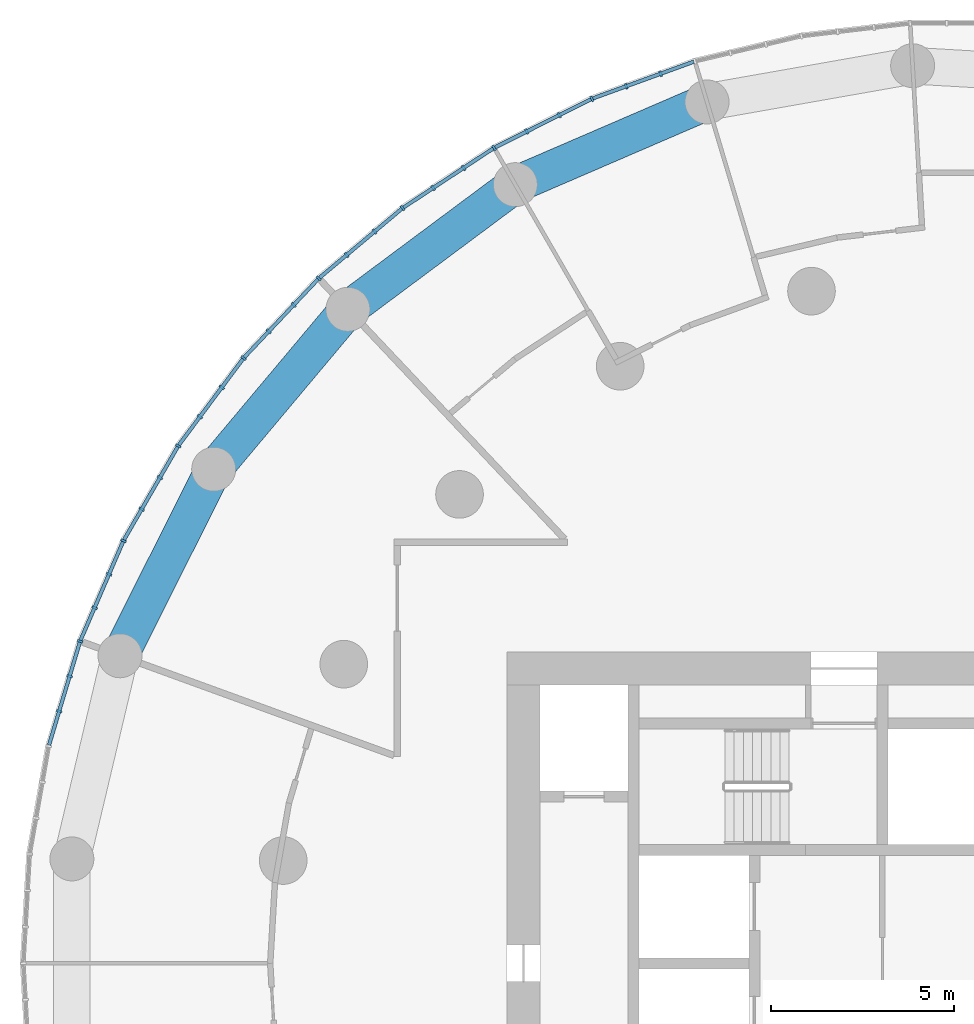
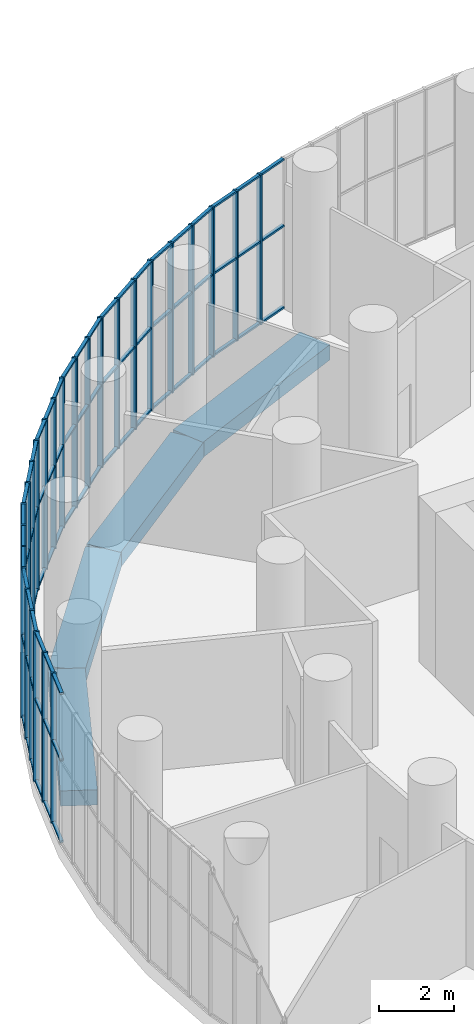
# One storey, part 7 of 21: 53 members, 4 beams, 9 elements without a shape of their own.
"""IFC4 building model written with IfcOpenShell, lengths in metres."""

from ifc_helpers import new_model, si_unit, direction, frame, origin, origin_2d, place, context, subcontext, project, spatial, rectangle, extrude, material, layer, layer_set, material_profile, profile_set, type_object, element, aggregate, save


model = new_model("IFC4")

# Units and contexts
model_context = context("Model", 3, precision=1e-05, world=origin(), true_north=direction((0.0, 1.0)))
body_context = subcontext(model_context, "Body", "Model", "MODEL_VIEW")
ifc_project = project(units=[si_unit("LENGTHUNIT", "METRE"), si_unit("AREAUNIT", "SQUARE_METRE"), si_unit("VOLUMEUNIT", "CUBIC_METRE"), si_unit("PLANEANGLEUNIT", "RADIAN"), si_unit("MASSUNIT", "GRAM", prefix="KILO")], contexts=[model_context])

# Site, building, storey
site_placement = place(None, origin())
site = spatial("IfcSite", under=ifc_project, at=site_placement, CompositionType="ELEMENT")
building_placement = place(site_placement, origin())
building = spatial("IfcBuilding", under=site, at=building_placement, Name="Tracery Tower", CompositionType="ELEMENT")
storey_placement = place(building_placement, frame((0.0, 0.0, 219.60009765625)))
storey = spatial("IfcBuildingStorey", under=building, at=storey_placement, Name="L57", CompositionType="ELEMENT", Elevation=219.60009765625)

# Beams
ifc_material_1 = material(Name="Concrete C50/60", Category="concrete")
ifc_material_profile_1 = material_profile(ifc_material_1, rectangle(XDim=1.0, YDim=0.5, at=origin_2d()), Name="RC 1000x500")
ifc_profile_set_1 = profile_set([ifc_material_profile_1], Name="Concrete C50/60")
beam_type = type_object("IfcBeamType", Name="Perimeter band beam 1000x500 under 450 slab", PredefinedType="BEAM", material=ifc_profile_set_1)
beam_1_placement = place(storey_placement, frame((-7.040283203125, 23.516357421875, -0.7001953125), z_axis=(-0.918209685525, -0.396094652083, 0.0), x_axis=(0.396094652083, -0.918209685525, 0.0)))
element("IfcBeam", 1, at=beam_1_placement, inside=storey, type_object=beam_type, Name="Perimeter beam 1.08 under L57", PredefinedType="BEAM", context=body_context, shape_type="SweptSolid", body=[
    extrude(rectangle(XDim=1.0, YDim=0.5, at=origin_2d()), origin(), (0.0, 0.0, 1.0), 5.699462890625),
])
beam_2_placement = place(storey_placement, frame((-12.273681640625, 21.2587890625, -0.7001953125), z_axis=(-0.802138271299, -0.59713833717, 0.0), x_axis=(0.59713833717, -0.802138271299, 0.0)))
element("IfcBeam", 2, at=beam_2_placement, inside=storey, type_object=beam_type, Name="Perimeter beam 1.09 under L57", PredefinedType="BEAM", context=body_context, shape_type="SweptSolid", body=[
    extrude(rectangle(XDim=1.0, YDim=0.5, at=origin_2d()), origin(), (0.0, 0.0, 1.0), 5.69970703125),
])
beam_3_placement = place(storey_placement, frame((-16.845703125, 17.855224609375, -0.7001953125), z_axis=(-0.642797194343, -0.766036400535, 0.0), x_axis=(0.766036400535, -0.642797194343, 0.0)))
element("IfcBeam", 3, at=beam_3_placement, inside=storey, type_object=beam_type, Name="Perimeter beam 1.10 under L57", PredefinedType="BEAM", context=body_context, shape_type="SweptSolid", body=[
    extrude(rectangle(XDim=1.0, YDim=0.5, at=origin_2d()), origin(), (0.0, 0.0, 1.0), 5.699462890625),
])
beam_4_placement = place(storey_placement, frame((-20.50927734375, 13.4892578125, -0.7001953125), z_axis=(-0.448806280933, -0.893629074166, 0.0), x_axis=(0.893629074166, -0.448806280933, 0.0)))
element("IfcBeam", 4, at=beam_4_placement, inside=storey, type_object=beam_type, Name="Perimeter beam 1.11 under L57", PredefinedType="BEAM", context=body_context, shape_type="SweptSolid", body=[
    extrude(rectangle(XDim=1.0, YDim=0.5, at=origin_2d()), origin(), (0.0, 0.0, 1.0), 5.69970703125),
])

# Curtain wall, members
ifc_material_2 = material(Name="Aluminium curtain wall with tinted glass", Category="aluminium")
ifc_layer = layer(ifc_material_2, 0.159912109375)
ifc_layer_set = layer_set([ifc_layer], Name="Sky lounge 2 tracery curtain wall")
curtain_wall_type = type_object("IfcCurtainWallType", Name="Sky lounge 2 tracery curtain wall", PredefinedType="NOTDEFINED", material=ifc_layer_set)
curtain_wall_1_placement = place(storey_placement, origin())
curtain_wall_1 = element("IfcCurtainWall", 5, at=curtain_wall_1_placement, inside=storey, type_object=curtain_wall_type, Name="Sky lounge 2 curtain wall run 17", PredefinedType="NOTDEFINED")
ifc_material_3 = material(Name="Aluminium, bronze anodised", Category="aluminium")
ifc_material_profile_2 = material_profile(ifc_material_3, rectangle(XDim=0.159912109375, YDim=0.06005859375, at=origin_2d()), Name="AL 60x160")
ifc_profile_set_2 = profile_set([ifc_material_profile_2], Name="Aluminium, bronze anodised")
member_type_1 = type_object("IfcMemberType", Name="Sky lounge 2 mullion 60 x 160", PredefinedType="MULLION", material=ifc_profile_set_2)
member_1_placement = place(storey_placement, frame((-8.309326171875, 24.28662109375, 0.0), z_axis=(0.0, 0.0, 1.0), x_axis=(0.342020143326, -0.939692620786, 0.0)))
member_1 = element("IfcMember", 6, at=member_1_placement, type_object=member_type_1, Name="Sky lounge 2 curtain wall run 17 mullion 2", PredefinedType="MULLION", context=body_context, shape_type="SweptSolid", body=[
    extrude(rectangle(XDim=0.159912109375, YDim=0.06005859375, at=origin_2d()), origin(), (0.0, 0.0, 1.0), 4.89990234375),
])
member_2_placement = place(storey_placement, frame((-9.245849609375, 23.94580078125, 0.0), z_axis=(0.0, 0.0, 1.0), x_axis=(0.342020143326, -0.939692620786, 0.0)))
member_2 = element("IfcMember", 7, at=member_2_placement, type_object=member_type_1, Name="Sky lounge 2 curtain wall run 17 mullion 3", PredefinedType="MULLION", context=body_context, shape_type="SweptSolid", body=[
    extrude(rectangle(XDim=0.159912109375, YDim=0.06005859375, at=origin_2d()), origin(), (0.0, 0.0, 1.0), 4.89990234375),
])

curtain_wall_2_placement = place(storey_placement, origin())
curtain_wall_2 = element("IfcCurtainWall", 8, at=curtain_wall_2_placement, inside=storey, type_object=curtain_wall_type, Name="Sky lounge 2 curtain wall run 18", PredefinedType="NOTDEFINED")
member_3_placement = place(storey_placement, frame((-10.18212890625, 23.60498046875, 0.0), z_axis=(0.0, 0.0, 1.0), x_axis=(0.448799180206, -0.893632640321, 0.0)))
member_3 = element("IfcMember", 9, at=member_3_placement, type_object=member_type_1, Name="Sky lounge 2 curtain wall run 18 mullion 1", PredefinedType="MULLION", context=body_context, shape_type="SweptSolid", body=[
    extrude(rectangle(XDim=0.159912109375, YDim=0.06005859375, at=origin_2d()), origin(), (0.0, 0.0, 1.0), 4.89990234375),
])
member_4_placement = place(storey_placement, frame((-11.07275390625, 23.157958984375, 0.0), z_axis=(0.0, 0.0, 1.0), x_axis=(0.448799180206, -0.893632640321, 0.0)))
member_4 = element("IfcMember", 10, at=member_4_placement, type_object=member_type_1, Name="Sky lounge 2 curtain wall run 18 mullion 2", PredefinedType="MULLION", context=body_context, shape_type="SweptSolid", body=[
    extrude(rectangle(XDim=0.159912109375, YDim=0.06005859375, at=origin_2d()), origin(), (0.0, 0.0, 1.0), 4.89990234375),
])
member_5_placement = place(storey_placement, frame((-11.96337890625, 22.710693359375, 0.0), z_axis=(0.0, 0.0, 1.0), x_axis=(0.448799180206, -0.893632640321, 0.0)))
member_5 = element("IfcMember", 11, at=member_5_placement, type_object=member_type_1, Name="Sky lounge 2 curtain wall run 18 mullion 3", PredefinedType="MULLION", context=body_context, shape_type="SweptSolid", body=[
    extrude(rectangle(XDim=0.159912109375, YDim=0.06005859375, at=origin_2d()), origin(), (0.0, 0.0, 1.0), 4.89990234375),
])

curtain_wall_3_placement = place(storey_placement, origin())
curtain_wall_3 = element("IfcCurtainWall", 12, at=curtain_wall_3_placement, inside=storey, type_object=curtain_wall_type, Name="Sky lounge 2 curtain wall run 19", PredefinedType="NOTDEFINED")
member_6_placement = place(storey_placement, frame((-12.853759765625, 22.263427734375, 0.0), z_axis=(0.0, 0.0, 1.0), x_axis=(0.549508978066, -0.835487811416, 0.0)))
member_6 = element("IfcMember", 13, at=member_6_placement, type_object=member_type_1, Name="Sky lounge 2 curtain wall run 19 mullion 1", PredefinedType="MULLION", context=body_context, shape_type="SweptSolid", body=[
    extrude(rectangle(XDim=0.159912109375, YDim=0.06005859375, at=origin_2d()), origin(), (0.0, 0.0, 1.0), 4.89990234375),
])
member_7_placement = place(storey_placement, frame((-13.686279296875, 21.7158203125, 0.0), z_axis=(0.0, 0.0, 1.0), x_axis=(0.549508978066, -0.835487811416, 0.0)))
member_7 = element("IfcMember", 14, at=member_7_placement, type_object=member_type_1, Name="Sky lounge 2 curtain wall run 19 mullion 2", PredefinedType="MULLION", context=body_context, shape_type="SweptSolid", body=[
    extrude(rectangle(XDim=0.159912109375, YDim=0.06005859375, at=origin_2d()), origin(), (0.0, 0.0, 1.0), 4.89990234375),
])
member_8_placement = place(storey_placement, frame((-14.518798828125, 21.168212890625, 0.0), z_axis=(0.0, 0.0, 1.0), x_axis=(0.549508978066, -0.835487811416, 0.0)))
member_8 = element("IfcMember", 15, at=member_8_placement, type_object=member_type_1, Name="Sky lounge 2 curtain wall run 19 mullion 3", PredefinedType="MULLION", context=body_context, shape_type="SweptSolid", body=[
    extrude(rectangle(XDim=0.159912109375, YDim=0.06005859375, at=origin_2d()), origin(), (0.0, 0.0, 1.0), 4.89990234375),
])

curtain_wall_4_placement = place(storey_placement, origin())
curtain_wall_4 = element("IfcCurtainWall", 16, at=curtain_wall_4_placement, inside=storey, type_object=curtain_wall_type, Name="Sky lounge 2 curtain wall run 20", PredefinedType="NOTDEFINED")
member_9_placement = place(storey_placement, frame((-15.3515625, 20.62060546875, 0.0), z_axis=(0.0, 0.0, 1.0), x_axis=(0.642787609687, -0.766044443119, 0.0)))
member_9 = element("IfcMember", 17, at=member_9_placement, type_object=member_type_1, Name="Sky lounge 2 curtain wall run 20 mullion 1", PredefinedType="MULLION", context=body_context, shape_type="SweptSolid", body=[
    extrude(rectangle(XDim=0.159912109375, YDim=0.06005859375, at=origin_2d()), origin(), (0.0, 0.0, 1.0), 4.89990234375),
])
member_10_placement = place(storey_placement, frame((-16.11474609375, 19.97998046875, 0.0), z_axis=(0.0, 0.0, 1.0), x_axis=(0.642787609687, -0.766044443119, 0.0)))
member_10 = element("IfcMember", 18, at=member_10_placement, type_object=member_type_1, Name="Sky lounge 2 curtain wall run 20 mullion 2", PredefinedType="MULLION", context=body_context, shape_type="SweptSolid", body=[
    extrude(rectangle(XDim=0.159912109375, YDim=0.06005859375, at=origin_2d()), origin(), (0.0, 0.0, 1.0), 4.89990234375),
])
member_11_placement = place(storey_placement, frame((-16.878173828125, 19.339599609375, 0.0), z_axis=(0.0, 0.0, 1.0), x_axis=(0.642787609687, -0.766044443119, 0.0)))
member_11 = element("IfcMember", 19, at=member_11_placement, type_object=member_type_1, Name="Sky lounge 2 curtain wall run 20 mullion 3", PredefinedType="MULLION", context=body_context, shape_type="SweptSolid", body=[
    extrude(rectangle(XDim=0.159912109375, YDim=0.06005859375, at=origin_2d()), origin(), (0.0, 0.0, 1.0), 4.89990234375),
])

curtain_wall_5_placement = place(storey_placement, origin())
curtain_wall_5 = element("IfcCurtainWall", 20, at=curtain_wall_5_placement, inside=storey, type_object=curtain_wall_type, Name="Sky lounge 2 curtain wall run 21", PredefinedType="NOTDEFINED")
member_12_placement = place(storey_placement, frame((-17.6416015625, 18.698974609375, 0.0), z_axis=(0.0, 0.0, 1.0), x_axis=(0.727373641577, -0.686241637865, 0.0)))
member_12 = element("IfcMember", 21, at=member_12_placement, type_object=member_type_1, Name="Sky lounge 2 curtain wall run 21 mullion 1", PredefinedType="MULLION", context=body_context, shape_type="SweptSolid", body=[
    extrude(rectangle(XDim=0.159912109375, YDim=0.06005859375, at=origin_2d()), origin(), (0.0, 0.0, 1.0), 4.89990234375),
])
member_13_placement = place(storey_placement, frame((-18.325439453125, 17.97412109375, 0.0), z_axis=(0.0, 0.0, 1.0), x_axis=(0.727373641577, -0.686241637865, 0.0)))
member_13 = element("IfcMember", 22, at=member_13_placement, type_object=member_type_1, Name="Sky lounge 2 curtain wall run 21 mullion 2", PredefinedType="MULLION", context=body_context, shape_type="SweptSolid", body=[
    extrude(rectangle(XDim=0.159912109375, YDim=0.06005859375, at=origin_2d()), origin(), (0.0, 0.0, 1.0), 4.89990234375),
])
member_14_placement = place(storey_placement, frame((-19.00927734375, 17.249267578125, 0.0), z_axis=(0.0, 0.0, 1.0), x_axis=(0.727373641577, -0.686241637865, 0.0)))
member_14 = element("IfcMember", 23, at=member_14_placement, type_object=member_type_1, Name="Sky lounge 2 curtain wall run 21 mullion 3", PredefinedType="MULLION", context=body_context, shape_type="SweptSolid", body=[
    extrude(rectangle(XDim=0.159912109375, YDim=0.06005859375, at=origin_2d()), origin(), (0.0, 0.0, 1.0), 4.89990234375),
])

curtain_wall_6_placement = place(storey_placement, origin())
curtain_wall_6 = element("IfcCurtainWall", 24, at=curtain_wall_6_placement, inside=storey, type_object=curtain_wall_type, Name="Sky lounge 2 curtain wall run 22", PredefinedType="NOTDEFINED")
member_15_placement = place(storey_placement, frame((-19.693115234375, 16.5244140625, 0.0), z_axis=(0.0, 0.0, 1.0), x_axis=(0.802123192752, -0.597158591707, 0.0)))
member_15 = element("IfcMember", 25, at=member_15_placement, type_object=member_type_1, Name="Sky lounge 2 curtain wall run 22 mullion 1", PredefinedType="MULLION", context=body_context, shape_type="SweptSolid", body=[
    extrude(rectangle(XDim=0.159912109375, YDim=0.06005859375, at=origin_2d()), origin(), (0.0, 0.0, 1.0), 4.89990234375),
])
member_16_placement = place(storey_placement, frame((-20.2880859375, 15.72509765625, 0.0), z_axis=(0.0, 0.0, 1.0), x_axis=(0.802123192752, -0.597158591707, 0.0)))
member_16 = element("IfcMember", 26, at=member_16_placement, type_object=member_type_1, Name="Sky lounge 2 curtain wall run 22 mullion 2", PredefinedType="MULLION", context=body_context, shape_type="SweptSolid", body=[
    extrude(rectangle(XDim=0.159912109375, YDim=0.06005859375, at=origin_2d()), origin(), (0.0, 0.0, 1.0), 4.89990234375),
])
member_17_placement = place(storey_placement, frame((-20.88330078125, 14.92578125, 0.0), z_axis=(0.0, 0.0, 1.0), x_axis=(0.802123192752, -0.597158591707, 0.0)))
member_17 = element("IfcMember", 27, at=member_17_placement, type_object=member_type_1, Name="Sky lounge 2 curtain wall run 22 mullion 3", PredefinedType="MULLION", context=body_context, shape_type="SweptSolid", body=[
    extrude(rectangle(XDim=0.159912109375, YDim=0.06005859375, at=origin_2d()), origin(), (0.0, 0.0, 1.0), 4.89990234375),
])

curtain_wall_7_placement = place(storey_placement, origin())
curtain_wall_7 = element("IfcCurtainWall", 28, at=curtain_wall_7_placement, inside=storey, type_object=curtain_wall_type, Name="Sky lounge 2 curtain wall run 23", PredefinedType="NOTDEFINED")
member_18_placement = place(storey_placement, frame((-21.478271484375, 14.12646484375, 0.0), z_axis=(0.0, 0.0, 1.0), x_axis=(0.866025403784, -0.5, 0.0)))
member_18 = element("IfcMember", 29, at=member_18_placement, type_object=member_type_1, Name="Sky lounge 2 curtain wall run 23 mullion 1", PredefinedType="MULLION", context=body_context, shape_type="SweptSolid", body=[
    extrude(rectangle(XDim=0.159912109375, YDim=0.06005859375, at=origin_2d()), origin(), (0.0, 0.0, 1.0), 4.89990234375),
])
member_19_placement = place(storey_placement, frame((-21.9765625, 13.263427734375, 0.0), z_axis=(0.0, 0.0, 1.0), x_axis=(0.866025403784, -0.5, 0.0)))
member_19 = element("IfcMember", 30, at=member_19_placement, type_object=member_type_1, Name="Sky lounge 2 curtain wall run 23 mullion 2", PredefinedType="MULLION", context=body_context, shape_type="SweptSolid", body=[
    extrude(rectangle(XDim=0.159912109375, YDim=0.06005859375, at=origin_2d()), origin(), (0.0, 0.0, 1.0), 4.89990234375),
])
member_20_placement = place(storey_placement, frame((-22.474853515625, 12.400634765625, 0.0), z_axis=(0.0, 0.0, 1.0), x_axis=(0.866025403784, -0.5, 0.0)))
member_20 = element("IfcMember", 31, at=member_20_placement, type_object=member_type_1, Name="Sky lounge 2 curtain wall run 23 mullion 3", PredefinedType="MULLION", context=body_context, shape_type="SweptSolid", body=[
    extrude(rectangle(XDim=0.159912109375, YDim=0.06005859375, at=origin_2d()), origin(), (0.0, 0.0, 1.0), 4.89990234375),
])

curtain_wall_8_placement = place(storey_placement, origin())
curtain_wall_8 = element("IfcCurtainWall", 32, at=curtain_wall_8_placement, inside=storey, type_object=curtain_wall_type, Name="Sky lounge 2 curtain wall run 24", PredefinedType="NOTDEFINED")
member_21_placement = place(storey_placement, frame((-22.97314453125, 11.53759765625, 0.0), z_axis=(0.0, 0.0, 1.0), x_axis=(0.918216106883, -0.396079766034, 0.0)))
member_21 = element("IfcMember", 33, at=member_21_placement, type_object=member_type_1, Name="Sky lounge 2 curtain wall run 24 mullion 1", PredefinedType="MULLION", context=body_context, shape_type="SweptSolid", body=[
    extrude(rectangle(XDim=0.159912109375, YDim=0.06005859375, at=origin_2d()), origin(), (0.0, 0.0, 1.0), 4.89990234375),
])
member_22_placement = place(storey_placement, frame((-23.367919921875, 10.62255859375, 0.0), z_axis=(0.0, 0.0, 1.0), x_axis=(0.918216106883, -0.396079766034, 0.0)))
member_22 = element("IfcMember", 34, at=member_22_placement, type_object=member_type_1, Name="Sky lounge 2 curtain wall run 24 mullion 2", PredefinedType="MULLION", context=body_context, shape_type="SweptSolid", body=[
    extrude(rectangle(XDim=0.159912109375, YDim=0.06005859375, at=origin_2d()), origin(), (0.0, 0.0, 1.0), 4.89990234375),
])
member_23_placement = place(storey_placement, frame((-23.762451171875, 9.70751953125, 0.0), z_axis=(0.0, 0.0, 1.0), x_axis=(0.918216106883, -0.396079766034, 0.0)))
member_23 = element("IfcMember", 35, at=member_23_placement, type_object=member_type_1, Name="Sky lounge 2 curtain wall run 24 mullion 3", PredefinedType="MULLION", context=body_context, shape_type="SweptSolid", body=[
    extrude(rectangle(XDim=0.159912109375, YDim=0.06005859375, at=origin_2d()), origin(), (0.0, 0.0, 1.0), 4.89990234375),
])

curtain_wall_9_placement = place(storey_placement, origin())
curtain_wall_9 = element("IfcCurtainWall", 36, at=curtain_wall_9_placement, inside=storey, type_object=curtain_wall_type, Name="Sky lounge 2 curtain wall run 25", PredefinedType="NOTDEFINED")
member_24_placement = place(storey_placement, frame((-24.1572265625, 8.79248046875, 0.0), z_axis=(0.0, 0.0, 1.0), x_axis=(0.957989512314, -0.286803232717, 0.0)))
member_24 = element("IfcMember", 37, at=member_24_placement, type_object=member_type_1, Name="Sky lounge 2 curtain wall run 25 mullion 1", PredefinedType="MULLION", context=body_context, shape_type="SweptSolid", body=[
    extrude(rectangle(XDim=0.159912109375, YDim=0.06005859375, at=origin_2d()), origin(), (0.0, 0.0, 1.0), 4.89990234375),
])
member_25_placement = place(storey_placement, frame((-24.443115234375, 7.837890625, 0.0), z_axis=(0.0, 0.0, 1.0), x_axis=(0.957989512314, -0.286803232717, 0.0)))
member_25 = element("IfcMember", 38, at=member_25_placement, type_object=member_type_1, Name="Sky lounge 2 curtain wall run 25 mullion 2", PredefinedType="MULLION", context=body_context, shape_type="SweptSolid", body=[
    extrude(rectangle(XDim=0.159912109375, YDim=0.06005859375, at=origin_2d()), origin(), (0.0, 0.0, 1.0), 4.89990234375),
])
member_26_placement = place(storey_placement, frame((-24.728759765625, 6.88330078125, 0.0), z_axis=(0.0, 0.0, 1.0), x_axis=(0.957989512314, -0.286803232717, 0.0)))
member_26 = element("IfcMember", 39, at=member_26_placement, type_object=member_type_1, Name="Sky lounge 2 curtain wall run 25 mullion 3", PredefinedType="MULLION", context=body_context, shape_type="SweptSolid", body=[
    extrude(rectangle(XDim=0.159912109375, YDim=0.06005859375, at=origin_2d()), origin(), (0.0, 0.0, 1.0), 4.89990234375),
])

# Member
ifc_material_4 = material(Name="Aluminium, bronze anodised", Category="aluminium")
ifc_material_profile_3 = material_profile(ifc_material_4, rectangle(XDim=0.10009765625, YDim=0.06005859375, at=origin_2d()), Name="AL 60x100")
ifc_profile_set_3 = profile_set([ifc_material_profile_3], Name="Aluminium, bronze anodised")
member_type_2 = type_object("IfcMemberType", Name="Sky lounge 2 transom 60 x 100", PredefinedType="USERDEFINED", material=ifc_profile_set_3)
member_27_placement = place(storey_placement, frame((-7.401123046875, 24.6171875, 0.02978515625), z_axis=(-0.939696058731, -0.342010697502, 0.0), x_axis=(0.342010697502, -0.939696058731, 0.0)))
member_27 = element("IfcMember", 40, at=member_27_placement, type_object=member_type_2, Name="Sky lounge 2 curtain wall run 17 transom 1", ObjectType="TRANSOM", PredefinedType="USERDEFINED", context=body_context, shape_type="SweptSolid", body=[
    extrude(rectangle(XDim=0.10009765625, YDim=0.06005859375, at=origin_2d()), origin(), (0.0, 0.0, 1.0), 2.9296875),
])

member_28_placement = place(storey_placement, frame((-7.401123046875, 24.6171875, 2.699951171875), z_axis=(-0.939696058731, -0.342010697502, 0.0), x_axis=(0.342010697502, -0.939696058731, 0.0)))
member_28 = element("IfcMember", 41, at=member_28_placement, type_object=member_type_2, Name="Sky lounge 2 curtain wall run 17 transom 2", ObjectType="TRANSOM", PredefinedType="USERDEFINED", context=body_context, shape_type="SweptSolid", body=[
    extrude(rectangle(XDim=0.10009765625, YDim=0.06005859375, at=origin_2d()), origin(), (0.0, 0.0, 1.0), 2.9296875),
])

member_29_placement = place(storey_placement, frame((-7.401123046875, 24.6171875, 4.869873046875), z_axis=(-0.939696058731, -0.342010697502, 0.0), x_axis=(0.342010697502, -0.939696058731, 0.0)))
member_29 = element("IfcMember", 42, at=member_29_placement, type_object=member_type_2, Name="Sky lounge 2 curtain wall run 17 transom 3", ObjectType="TRANSOM", PredefinedType="USERDEFINED", context=body_context, shape_type="SweptSolid", body=[
    extrude(rectangle(XDim=0.10009765625, YDim=0.06005859375, at=origin_2d()), origin(), (0.0, 0.0, 1.0), 2.9296875),
])

aggregate(curtain_wall_1, [member_1, member_2, member_27, member_28, member_29])

member_30_placement = place(storey_placement, frame((-10.208984375, 23.591552734375, 0.02978515625), z_axis=(-0.893642433599, -0.448779679654, 0.0), x_axis=(0.448779679654, -0.893642433599, 0.0)))
member_30 = element("IfcMember", 43, at=member_30_placement, type_object=member_type_2, Name="Sky lounge 2 curtain wall run 18 transom 1", ObjectType="TRANSOM", PredefinedType="USERDEFINED", context=body_context, shape_type="SweptSolid", body=[
    extrude(rectangle(XDim=0.10009765625, YDim=0.06005859375, at=origin_2d()), origin(), (0.0, 0.0, 1.0), 2.929443359375),
])

member_31_placement = place(storey_placement, frame((-10.208984375, 23.591552734375, 2.699951171875), z_axis=(-0.893642433599, -0.448779679654, 0.0), x_axis=(0.448779679654, -0.893642433599, 0.0)))
member_31 = element("IfcMember", 44, at=member_31_placement, type_object=member_type_2, Name="Sky lounge 2 curtain wall run 18 transom 2", ObjectType="TRANSOM", PredefinedType="USERDEFINED", context=body_context, shape_type="SweptSolid", body=[
    extrude(rectangle(XDim=0.10009765625, YDim=0.06005859375, at=origin_2d()), origin(), (0.0, 0.0, 1.0), 2.929443359375),
])

member_32_placement = place(storey_placement, frame((-10.208984375, 23.591552734375, 4.869873046875), z_axis=(-0.893642433599, -0.448779679654, 0.0), x_axis=(0.448779679654, -0.893642433599, 0.0)))
member_32 = element("IfcMember", 45, at=member_32_placement, type_object=member_type_2, Name="Sky lounge 2 curtain wall run 18 transom 3", ObjectType="TRANSOM", PredefinedType="USERDEFINED", context=body_context, shape_type="SweptSolid", body=[
    extrude(rectangle(XDim=0.10009765625, YDim=0.06005859375, at=origin_2d()), origin(), (0.0, 0.0, 1.0), 2.929443359375),
])

aggregate(curtain_wall_2, [member_3, member_4, member_5, member_30, member_31, member_32])

member_33_placement = place(storey_placement, frame((-12.87890625, 22.246826171875, 0.02978515625), z_axis=(-0.835508711144, -0.549477200257, 0.0), x_axis=(0.549477200257, -0.835508711144, 0.0)))
member_33 = element("IfcMember", 46, at=member_33_placement, type_object=member_type_2, Name="Sky lounge 2 curtain wall run 19 transom 1", ObjectType="TRANSOM", PredefinedType="USERDEFINED", context=body_context, shape_type="SweptSolid", body=[
    extrude(rectangle(XDim=0.10009765625, YDim=0.06005859375, at=origin_2d()), origin(), (0.0, 0.0, 1.0), 2.929443359375),
])

member_34_placement = place(storey_placement, frame((-12.87890625, 22.246826171875, 2.699951171875), z_axis=(-0.835508711144, -0.549477200257, 0.0), x_axis=(0.549477200257, -0.835508711144, 0.0)))
member_34 = element("IfcMember", 47, at=member_34_placement, type_object=member_type_2, Name="Sky lounge 2 curtain wall run 19 transom 2", ObjectType="TRANSOM", PredefinedType="USERDEFINED", context=body_context, shape_type="SweptSolid", body=[
    extrude(rectangle(XDim=0.10009765625, YDim=0.06005859375, at=origin_2d()), origin(), (0.0, 0.0, 1.0), 2.929443359375),
])

member_35_placement = place(storey_placement, frame((-12.87890625, 22.246826171875, 4.869873046875), z_axis=(-0.835508711144, -0.549477200257, 0.0), x_axis=(0.549477200257, -0.835508711144, 0.0)))
member_35 = element("IfcMember", 48, at=member_35_placement, type_object=member_type_2, Name="Sky lounge 2 curtain wall run 19 transom 3", ObjectType="TRANSOM", PredefinedType="USERDEFINED", context=body_context, shape_type="SweptSolid", body=[
    extrude(rectangle(XDim=0.10009765625, YDim=0.06005859375, at=origin_2d()), origin(), (0.0, 0.0, 1.0), 2.929443359375),
])

aggregate(curtain_wall_3, [member_6, member_7, member_8, member_33, member_34, member_35])

member_36_placement = place(storey_placement, frame((-15.37451171875, 20.601318359375, 0.02978515625), z_axis=(-0.766044599457, -0.64278742337, 0.0), x_axis=(0.64278742337, -0.766044599457, 0.0)))
member_36 = element("IfcMember", 49, at=member_36_placement, type_object=member_type_2, Name="Sky lounge 2 curtain wall run 20 transom 1", ObjectType="TRANSOM", PredefinedType="USERDEFINED", context=body_context, shape_type="SweptSolid", body=[
    extrude(rectangle(XDim=0.10009765625, YDim=0.06005859375, at=origin_2d()), origin(), (0.0, 0.0, 1.0), 2.929443359375),
])

member_37_placement = place(storey_placement, frame((-15.37451171875, 20.601318359375, 2.699951171875), z_axis=(-0.766044599457, -0.64278742337, 0.0), x_axis=(0.64278742337, -0.766044599457, 0.0)))
member_37 = element("IfcMember", 50, at=member_37_placement, type_object=member_type_2, Name="Sky lounge 2 curtain wall run 20 transom 2", ObjectType="TRANSOM", PredefinedType="USERDEFINED", context=body_context, shape_type="SweptSolid", body=[
    extrude(rectangle(XDim=0.10009765625, YDim=0.06005859375, at=origin_2d()), origin(), (0.0, 0.0, 1.0), 2.929443359375),
])

member_38_placement = place(storey_placement, frame((-15.37451171875, 20.601318359375, 4.869873046875), z_axis=(-0.766044599457, -0.64278742337, 0.0), x_axis=(0.64278742337, -0.766044599457, 0.0)))
member_38 = element("IfcMember", 51, at=member_38_placement, type_object=member_type_2, Name="Sky lounge 2 curtain wall run 20 transom 3", ObjectType="TRANSOM", PredefinedType="USERDEFINED", context=body_context, shape_type="SweptSolid", body=[
    extrude(rectangle(XDim=0.10009765625, YDim=0.06005859375, at=origin_2d()), origin(), (0.0, 0.0, 1.0), 2.929443359375),
])

aggregate(curtain_wall_4, [member_9, member_10, member_11, member_36, member_37, member_38])

member_39_placement = place(storey_placement, frame((-17.662109375, 18.67724609375, 0.02978515625), z_axis=(-0.686266182252, -0.727350484359, 0.0), x_axis=(0.727350484359, -0.686266182252, 0.0)))
member_39 = element("IfcMember", 52, at=member_39_placement, type_object=member_type_2, Name="Sky lounge 2 curtain wall run 21 transom 1", ObjectType="TRANSOM", PredefinedType="USERDEFINED", context=body_context, shape_type="SweptSolid", body=[
    extrude(rectangle(XDim=0.10009765625, YDim=0.06005859375, at=origin_2d()), origin(), (0.0, 0.0, 1.0), 2.9296875),
])

member_40_placement = place(storey_placement, frame((-17.662109375, 18.67724609375, 2.699951171875), z_axis=(-0.686266182252, -0.727350484359, 0.0), x_axis=(0.727350484359, -0.686266182252, 0.0)))
member_40 = element("IfcMember", 53, at=member_40_placement, type_object=member_type_2, Name="Sky lounge 2 curtain wall run 21 transom 2", ObjectType="TRANSOM", PredefinedType="USERDEFINED", context=body_context, shape_type="SweptSolid", body=[
    extrude(rectangle(XDim=0.10009765625, YDim=0.06005859375, at=origin_2d()), origin(), (0.0, 0.0, 1.0), 2.9296875),
])

member_41_placement = place(storey_placement, frame((-17.662109375, 18.67724609375, 4.869873046875), z_axis=(-0.686266182252, -0.727350484359, 0.0), x_axis=(0.727350484359, -0.686266182252, 0.0)))
member_41 = element("IfcMember", 54, at=member_41_placement, type_object=member_type_2, Name="Sky lounge 2 curtain wall run 21 transom 3", ObjectType="TRANSOM", PredefinedType="USERDEFINED", context=body_context, shape_type="SweptSolid", body=[
    extrude(rectangle(XDim=0.10009765625, YDim=0.06005859375, at=origin_2d()), origin(), (0.0, 0.0, 1.0), 2.9296875),
])

aggregate(curtain_wall_5, [member_12, member_13, member_14, member_39, member_40, member_41])

member_42_placement = place(storey_placement, frame((-19.7109375, 16.50048828125, 0.02978515625), z_axis=(-0.597182879987, -0.802105110226, 0.0), x_axis=(0.802105110226, -0.597182879987, 0.0)))
member_42 = element("IfcMember", 55, at=member_42_placement, type_object=member_type_2, Name="Sky lounge 2 curtain wall run 22 transom 1", ObjectType="TRANSOM", PredefinedType="USERDEFINED", context=body_context, shape_type="SweptSolid", body=[
    extrude(rectangle(XDim=0.10009765625, YDim=0.06005859375, at=origin_2d()), origin(), (0.0, 0.0, 1.0), 2.9296875),
])

member_43_placement = place(storey_placement, frame((-19.7109375, 16.50048828125, 2.699951171875), z_axis=(-0.597182879987, -0.802105110226, 0.0), x_axis=(0.802105110226, -0.597182879987, 0.0)))
member_43 = element("IfcMember", 56, at=member_43_placement, type_object=member_type_2, Name="Sky lounge 2 curtain wall run 22 transom 2", ObjectType="TRANSOM", PredefinedType="USERDEFINED", context=body_context, shape_type="SweptSolid", body=[
    extrude(rectangle(XDim=0.10009765625, YDim=0.06005859375, at=origin_2d()), origin(), (0.0, 0.0, 1.0), 2.9296875),
])

member_44_placement = place(storey_placement, frame((-19.7109375, 16.50048828125, 4.869873046875), z_axis=(-0.597182879987, -0.802105110226, 0.0), x_axis=(0.802105110226, -0.597182879987, 0.0)))
member_44 = element("IfcMember", 57, at=member_44_placement, type_object=member_type_2, Name="Sky lounge 2 curtain wall run 22 transom 3", ObjectType="TRANSOM", PredefinedType="USERDEFINED", context=body_context, shape_type="SweptSolid", body=[
    extrude(rectangle(XDim=0.10009765625, YDim=0.06005859375, at=origin_2d()), origin(), (0.0, 0.0, 1.0), 2.9296875),
])

aggregate(curtain_wall_6, [member_15, member_16, member_17, member_42, member_43, member_44])

member_45_placement = place(storey_placement, frame((-21.493408203125, 14.1005859375, 0.02978515625), z_axis=(-0.499948495998, -0.866055137592, 0.0), x_axis=(0.866055137592, -0.499948495998, 0.0)))
member_45 = element("IfcMember", 58, at=member_45_placement, type_object=member_type_2, Name="Sky lounge 2 curtain wall run 23 transom 1", ObjectType="TRANSOM", PredefinedType="USERDEFINED", context=body_context, shape_type="SweptSolid", body=[
    extrude(rectangle(XDim=0.10009765625, YDim=0.06005859375, at=origin_2d()), origin(), (0.0, 0.0, 1.0), 2.929443359375),
])

member_46_placement = place(storey_placement, frame((-21.493408203125, 14.1005859375, 2.699951171875), z_axis=(-0.499948495998, -0.866055137592, 0.0), x_axis=(0.866055137592, -0.499948495998, 0.0)))
member_46 = element("IfcMember", 59, at=member_46_placement, type_object=member_type_2, Name="Sky lounge 2 curtain wall run 23 transom 2", ObjectType="TRANSOM", PredefinedType="USERDEFINED", context=body_context, shape_type="SweptSolid", body=[
    extrude(rectangle(XDim=0.10009765625, YDim=0.06005859375, at=origin_2d()), origin(), (0.0, 0.0, 1.0), 2.929443359375),
])

member_47_placement = place(storey_placement, frame((-21.493408203125, 14.1005859375, 4.869873046875), z_axis=(-0.499948495998, -0.866055137592, 0.0), x_axis=(0.866055137592, -0.499948495998, 0.0)))
member_47 = element("IfcMember", 60, at=member_47_placement, type_object=member_type_2, Name="Sky lounge 2 curtain wall run 23 transom 3", ObjectType="TRANSOM", PredefinedType="USERDEFINED", context=body_context, shape_type="SweptSolid", body=[
    extrude(rectangle(XDim=0.10009765625, YDim=0.06005859375, at=origin_2d()), origin(), (0.0, 0.0, 1.0), 2.929443359375),
])

aggregate(curtain_wall_7, [member_18, member_19, member_20, member_45, member_46, member_47])

member_48_placement = place(storey_placement, frame((-22.985107421875, 11.510009765625, 0.02978515625), z_axis=(-0.396030490021, -0.918237360912, 0.0), x_axis=(0.918237360912, -0.396030490021, 0.0)))
member_48 = element("IfcMember", 61, at=member_48_placement, type_object=member_type_2, Name="Sky lounge 2 curtain wall run 24 transom 1", ObjectType="TRANSOM", PredefinedType="USERDEFINED", context=body_context, shape_type="SweptSolid", body=[
    extrude(rectangle(XDim=0.10009765625, YDim=0.06005859375, at=origin_2d()), origin(), (0.0, 0.0, 1.0), 2.929443359375),
])

member_49_placement = place(storey_placement, frame((-22.985107421875, 11.510009765625, 2.699951171875), z_axis=(-0.396030490021, -0.918237360912, 0.0), x_axis=(0.918237360912, -0.396030490021, 0.0)))
member_49 = element("IfcMember", 62, at=member_49_placement, type_object=member_type_2, Name="Sky lounge 2 curtain wall run 24 transom 2", ObjectType="TRANSOM", PredefinedType="USERDEFINED", context=body_context, shape_type="SweptSolid", body=[
    extrude(rectangle(XDim=0.10009765625, YDim=0.06005859375, at=origin_2d()), origin(), (0.0, 0.0, 1.0), 2.929443359375),
])

member_50_placement = place(storey_placement, frame((-22.985107421875, 11.510009765625, 4.869873046875), z_axis=(-0.396030490021, -0.918237360912, 0.0), x_axis=(0.918237360912, -0.396030490021, 0.0)))
member_50 = element("IfcMember", 63, at=member_50_placement, type_object=member_type_2, Name="Sky lounge 2 curtain wall run 24 transom 3", ObjectType="TRANSOM", PredefinedType="USERDEFINED", context=body_context, shape_type="SweptSolid", body=[
    extrude(rectangle(XDim=0.10009765625, YDim=0.06005859375, at=origin_2d()), origin(), (0.0, 0.0, 1.0), 2.929443359375),
])

aggregate(curtain_wall_8, [member_21, member_22, member_23, member_48, member_49, member_50])

member_51_placement = place(storey_placement, frame((-24.165771484375, 8.763671875, 0.02978515625), z_axis=(-0.286850874601, -0.957975247979, 0.0), x_axis=(0.957975247979, -0.286850874601, 0.0)))
member_51 = element("IfcMember", 64, at=member_51_placement, type_object=member_type_2, Name="Sky lounge 2 curtain wall run 25 transom 1", ObjectType="TRANSOM", PredefinedType="USERDEFINED", context=body_context, shape_type="SweptSolid", body=[
    extrude(rectangle(XDim=0.10009765625, YDim=0.06005859375, at=origin_2d()), origin(), (0.0, 0.0, 1.0), 2.929443359375),
])

member_52_placement = place(storey_placement, frame((-24.165771484375, 8.763671875, 2.699951171875), z_axis=(-0.286850874601, -0.957975247979, 0.0), x_axis=(0.957975247979, -0.286850874601, 0.0)))
member_52 = element("IfcMember", 65, at=member_52_placement, type_object=member_type_2, Name="Sky lounge 2 curtain wall run 25 transom 2", ObjectType="TRANSOM", PredefinedType="USERDEFINED", context=body_context, shape_type="SweptSolid", body=[
    extrude(rectangle(XDim=0.10009765625, YDim=0.06005859375, at=origin_2d()), origin(), (0.0, 0.0, 1.0), 2.929443359375),
])

member_53_placement = place(storey_placement, frame((-24.165771484375, 8.763671875, 4.869873046875), z_axis=(-0.286850874601, -0.957975247979, 0.0), x_axis=(0.957975247979, -0.286850874601, 0.0)))
member_53 = element("IfcMember", 66, at=member_53_placement, type_object=member_type_2, Name="Sky lounge 2 curtain wall run 25 transom 3", ObjectType="TRANSOM", PredefinedType="USERDEFINED", context=body_context, shape_type="SweptSolid", body=[
    extrude(rectangle(XDim=0.10009765625, YDim=0.06005859375, at=origin_2d()), origin(), (0.0, 0.0, 1.0), 2.929443359375),
])

aggregate(curtain_wall_9, [member_24, member_25, member_26, member_51, member_52, member_53])

save(model, "model.ifc")
